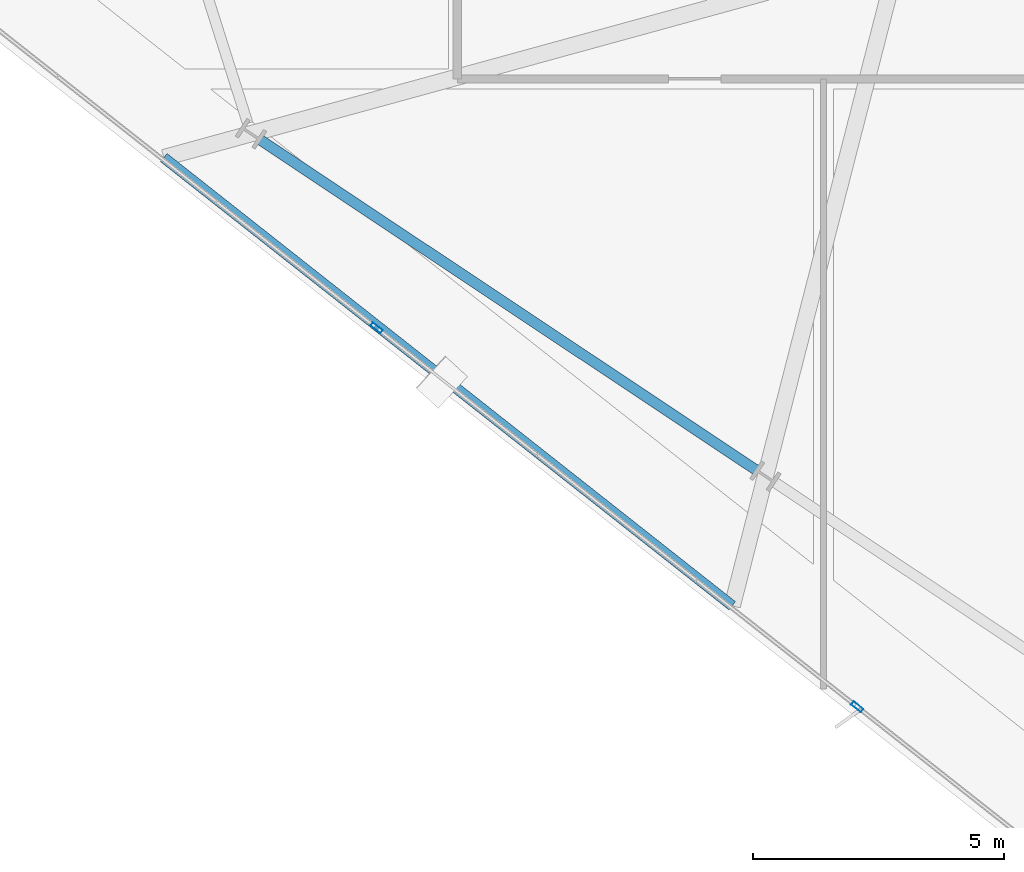
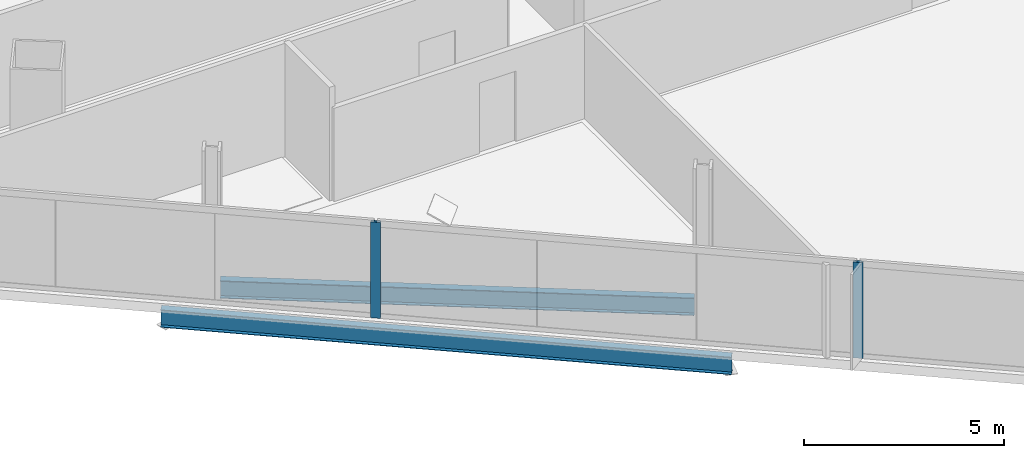
# One storey, part 2 of 28: 2 beams, 2 members, 1 element without a shape of its own.
"""IFC4 building model written with IfcOpenShell, lengths in metres."""

from ifc_helpers import new_model, si_unit, direction, frame, origin, origin_2d, place, context, subcontext, project, spatial, hollow_rectangle, i_section, extrude, material, material_profile, profile_set, type_object, element, aggregate, save


model = new_model("IFC4")

# Units and contexts
model_context = context("Model", 3, precision=1e-05, world=origin(), true_north=direction((0.0, 1.0)))
body_context = subcontext(model_context, "Body", "Model", "MODEL_VIEW")
ifc_project = project(units=[si_unit("LENGTHUNIT", "METRE"), si_unit("AREAUNIT", "SQUARE_METRE"), si_unit("VOLUMEUNIT", "CUBIC_METRE"), si_unit("PLANEANGLEUNIT", "RADIAN"), si_unit("MASSUNIT", "GRAM", prefix="KILO")], contexts=[model_context])

# Site, building, storey
site_placement = place(None, origin())
site = spatial("IfcSite", under=ifc_project, at=site_placement, CompositionType="ELEMENT")
building_placement = place(site_placement, origin())
building = spatial("IfcBuilding", under=site, at=building_placement, Name="Haldenkirk Collegiate Tower", CompositionType="ELEMENT")
storey_placement = place(building_placement, frame((0.0, 0.0, 202.199951171875)))
storey = spatial("IfcBuildingStorey", under=building, at=storey_placement, Name="L50", CompositionType="ELEMENT", Elevation=202.199951171875)

# Beams
ifc_material_1 = material(Name="Steel ASTM A992 Grade 50", Category="steel")
ifc_material_profile_1 = material_profile(ifc_material_1, i_section(OverallWidth=0.2099609375, OverallDepth=0.537109375, WebThickness=0.010986328125, FlangeThickness=0.017333984375, at=origin_2d()), Name="W21X68")
ifc_profile_set_1 = profile_set([ifc_material_profile_1], Name="Steel ASTM A992 Grade 50")
beam_type = type_object("IfcBeamType", Name="BM-SPANDREL-W21X68", PredefinedType="SPANDREL", material=ifc_profile_set_1)
beam_1_placement = place(storey_placement, frame((14.26904296875, 14.337158203125, -0.54833984375), z_axis=(0.832438805455, -0.554116986901, 0.0), x_axis=(0.554116986901, 0.832438805455, 0.0)))
element("IfcBeam", 1, at=beam_1_placement, inside=storey, type_object=beam_type, Name="L50 perimeter spandrel beam 14", PredefinedType="SPANDREL", context=body_context, shape_type="SweptSolid", body=[
    extrude(i_section(OverallWidth=0.2099609375, OverallDepth=0.537109375, WebThickness=0.010986328125, FlangeThickness=0.017333984375, at=origin_2d()), origin(), (0.0, 0.0, 1.0), 11.885009765625),
])
beam_2_placement = place(storey_placement, frame((12.35107421875, 13.980712890625, -0.54833984375), z_axis=(0.785307927154, -0.619105370312, 0.0), x_axis=(0.619105370312, 0.785307927154, 0.0)))
element("IfcBeam", 2, at=beam_2_placement, inside=storey, type_object=beam_type, Name="L50 outer facade edge beam 4", PredefinedType="SPANDREL", context=body_context, shape_type="SweptSolid", body=[
    extrude(i_section(OverallWidth=0.2099609375, OverallDepth=0.537109375, WebThickness=0.010986328125, FlangeThickness=0.017333984375, at=origin_2d()), origin(), (0.0, 0.0, 1.0), 14.427978515625),
])

# Curtain wall, members
ifc_material_2 = material(Name="Anodised architectural bronze aluminium", Category="aluminium")
curtain_wall_type = type_object("IfcCurtainWallType", Name="CW-SYS1B-CONVEX-HI", PredefinedType="USERDEFINED", material=ifc_material_2)
curtain_wall_placement = place(storey_placement, origin())
curtain_wall = element("IfcCurtainWall", 3, at=curtain_wall_placement, inside=storey, type_object=curtain_wall_type, Name="L50 Upper tower high-wind convex bronze unitised curtain wall", ObjectType="UNITISED CURTAIN WALL", PredefinedType="USERDEFINED")
ifc_material_profile_2 = material_profile(ifc_material_2, hollow_rectangle(XDim=0.0849609375, YDim=0.25, WallThickness=0.0048828125, at=origin_2d()), Name="CW-MUL-1B")
ifc_profile_set_2 = profile_set([ifc_material_profile_2], Name="Anodised architectural bronze aluminium")
member_type = type_object("IfcMemberType", Name="CW-MUL-1B", PredefinedType="MULLION", material=ifc_profile_set_2)
member_1_placement = place(storey_placement, frame((26.171875, 3.0341796875, 0.0), z_axis=(0.0, 0.0, 1.0), x_axis=(-0.619094623814, -0.785316399144, 0.0)))
member_1 = element("IfcMember", 4, at=member_1_placement, type_object=member_type, Name="CW-1B mullion 2", PredefinedType="MULLION", context=body_context, shape_type="SweptSolid", body=[
    extrude(hollow_rectangle(XDim=0.0849609375, YDim=0.25, WallThickness=0.0048828125, at=origin_2d()), origin(), (0.0, 0.0, 1.0), 2.927978515625),
])
member_2_placement = place(storey_placement, frame((16.591064453125, 10.587158203125, 0.0), z_axis=(0.0, 0.0, 1.0), x_axis=(-0.619094623814, -0.785316399144, 0.0)))
member_2 = element("IfcMember", 5, at=member_2_placement, type_object=member_type, Name="CW-1B mullion 3", PredefinedType="MULLION", context=body_context, shape_type="SweptSolid", body=[
    extrude(hollow_rectangle(XDim=0.0849609375, YDim=0.25, WallThickness=0.0048828125, at=origin_2d()), origin(), (0.0, 0.0, 1.0), 2.927978515625),
])
aggregate(curtain_wall, [member_1, member_2])

save(model, "model.ifc")
